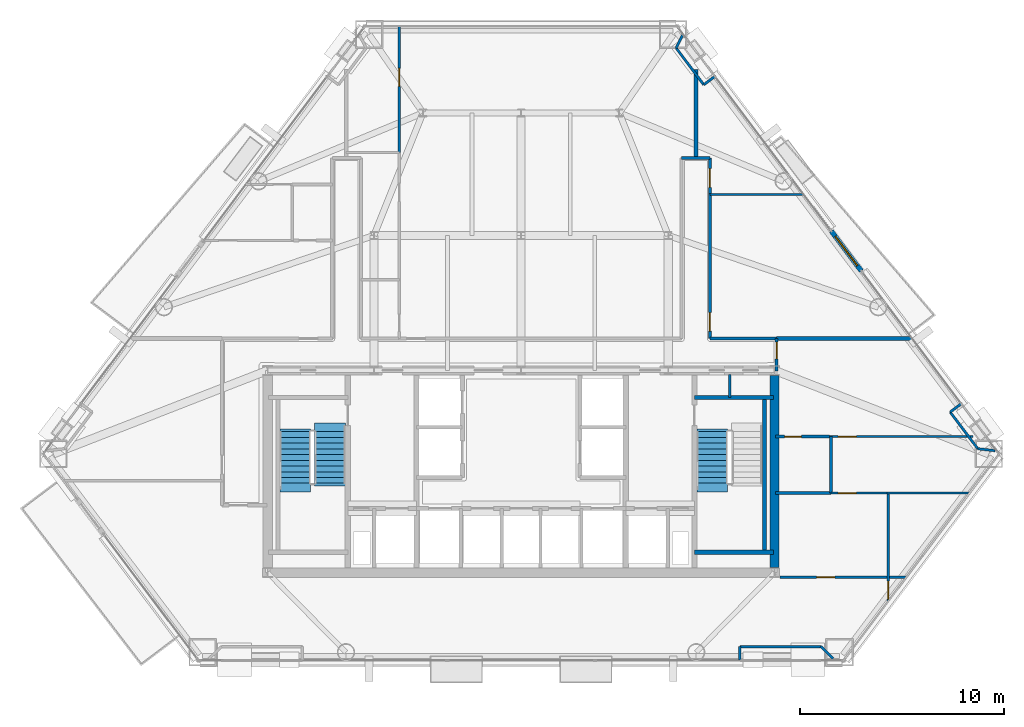
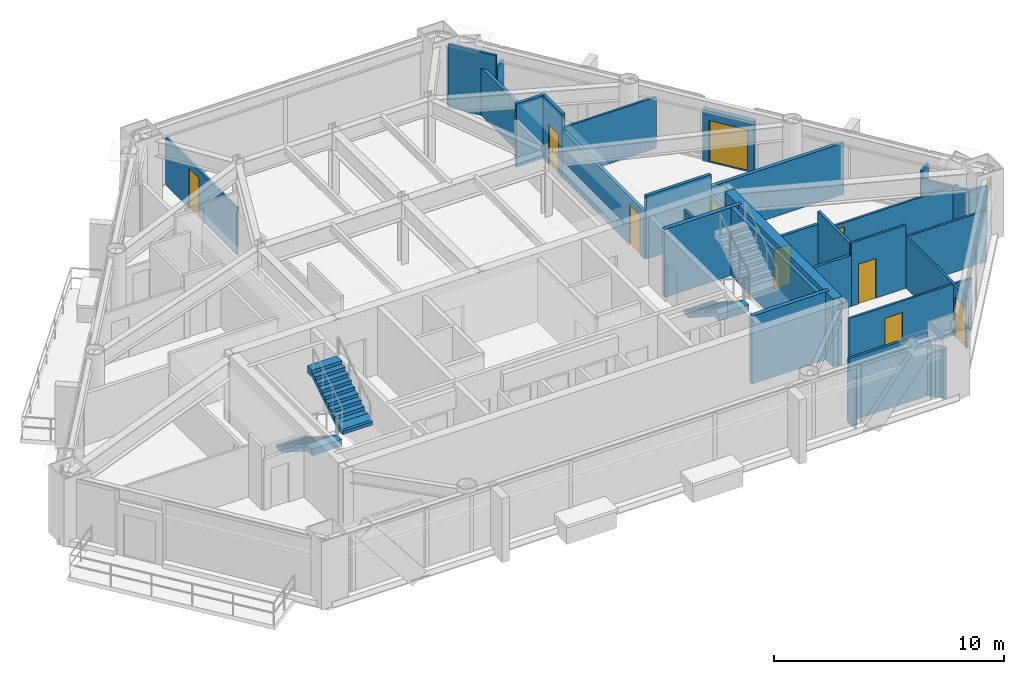
# One storey, part 11 of 14: 32 walls, 10 doors, 3 stair flights, 10 openings, 2 elements without a shape of their own.
"""IFC4 building model written with IfcOpenShell, lengths in metres."""

import ifcopenshell
import ifcopenshell.guid

model = None  # the IFC model being written
_history = None  # IfcOwnerHistory: only IFC2X3 demands one
_inside = {}  # id of a spatial element -> (the spatial element, [elements in it])
_under = {}  # id of a project, library or spatial element -> (it, [spatial elements below it])
_declared = {}  # id of a project -> (the project, [libraries it declares])
_typed = {}  # id of a type object -> (the type object, [elements of that type])
_made_of = {}  # id of a material, layer set ... -> (it, [elements and type objects made of it])


def new_model(schema):
    """Start an empty IFC model of exactly this schema.

    Asked for "IFC4X3", IfcOpenShell would pick the latest addendum, in which some entities
    have other attributes; the version numbers below select the first issue.
    IFC2X3 requires an IfcOwnerHistory on every rooted entity: one is made here for all.
    """
    global model, _history
    if schema == "IFC4X3":
        model = ifcopenshell.file(schema_version=(4, 3, 0, 0))
    else:
        model = ifcopenshell.file(schema=schema)
    _inside.clear()
    _under.clear()
    _declared.clear()
    _typed.clear()
    _made_of.clear()
    _history = None
    if model.schema == "IFC2X3":
        org = make("IfcOrganization", Name="unknown")
        user = make(
            "IfcPersonAndOrganization",
            ThePerson=make("IfcPerson", FamilyName="unknown"),
            TheOrganization=org,
        )
        app = make(
            "IfcApplication",
            ApplicationDeveloper=org,
            Version="unknown",
            ApplicationFullName="unknown",
            ApplicationIdentifier="unknown",
        )
        _history = make(
            "IfcOwnerHistory",
            OwningUser=user,
            OwningApplication=app,
            ChangeAction="ADDED",
            CreationDate=0,
        )
    return model


def make(cls, **values):
    """One entity of the class cls with the attributes given. An attribute that is None is left unset."""
    return model.create_entity(
        cls, **{name: value for name, value in values.items() if value is not None}
    )


def rooted(cls, **values):
    """An entity with a GlobalId (a new one), such as an element, a storey or a relation."""
    return make(cls, GlobalId=ifcopenshell.guid.new(), OwnerHistory=_history, **values)


def si_unit(unit_type, name, prefix=None):
    """IfcSIUnit, for example si_unit("LENGTHUNIT", "METRE", prefix="MILLI")."""
    return make("IfcSIUnit", UnitType=unit_type, Prefix=prefix, Name=name)


def assignment(units):
    """IfcUnitAssignment: the units of a project."""
    return None if units is None else make("IfcUnitAssignment", Units=units)


def point(xyz):
    """IfcCartesianPoint."""
    return None if xyz is None else make("IfcCartesianPoint", Coordinates=xyz)


def direction(xyz):
    """IfcDirection."""
    return None if xyz is None else make("IfcDirection", DirectionRatios=xyz)


def frame(location, z_axis=None, x_axis=None):
    """IfcAxis2Placement3D, a coordinate frame: its origin and axes. An axis left out is left unset."""
    return make(
        "IfcAxis2Placement3D",
        Location=point(location),
        Axis=direction(z_axis),
        RefDirection=direction(x_axis),
    )


def frame_2d(location, x_axis=None):
    """IfcAxis2Placement2D, a coordinate frame in the plane: its origin and x axis."""
    return make(
        "IfcAxis2Placement2D", Location=point(location), RefDirection=direction(x_axis)
    )


def origin():
    """The frame at (0, 0, 0) with its axes left unset."""
    return frame((0.0, 0.0, 0.0))


def place(relative_to, where):
    """IfcLocalPlacement: puts the frame where relative to a parent placement (None: the world)."""
    return make(
        "IfcLocalPlacement", PlacementRelTo=relative_to, RelativePlacement=where
    )


def context(
    kind, dimensions, precision=None, world=None, true_north=None, identifier=None
):
    """IfcGeometricRepresentationContext, for example the 3D "Model" context."""
    return make(
        "IfcGeometricRepresentationContext",
        ContextIdentifier=identifier,
        ContextType=kind,
        CoordinateSpaceDimension=dimensions,
        Precision=precision,
        WorldCoordinateSystem=world,
        TrueNorth=true_north,
    )


def subcontext(parent, identifier, kind, view, scale=None):
    """IfcGeometricRepresentationSubContext, for example "Body" below "Model"."""
    return make(
        "IfcGeometricRepresentationSubContext",
        ContextIdentifier=identifier,
        ContextType=kind,
        ParentContext=parent,
        TargetScale=scale,
        TargetView=view,
    )


def project(units=None, contexts=None):
    """IfcProject with its units and contexts."""
    return rooted(
        "IfcProject",
        Name="project",
        RepresentationContexts=contexts,
        UnitsInContext=assignment(units),
    )


def spatial(cls, under=None, at=None, **own):
    """A site, building, storey or space (cls), placed at a placement, below another one or the project."""
    s = rooted(cls, ObjectPlacement=at, **own)
    if under is not None:
        _under.setdefault(under.id(), (under, []))[1].append(s)
    return s


def polyline(points):
    """IfcPolyline through the points."""
    return make("IfcPolyline", Points=[point(p) for p in points])


def profile(cls, at=None, kind="AREA", **sizes):
    """A parametric profile (cls). Its sizes go by their IFC names, for example OverallWidth=200.0."""
    return make(cls, ProfileType=kind, Position=at, **sizes)


def rectangle(**sizes):
    """IfcRectangleProfileDef."""
    return profile("IfcRectangleProfileDef", **sizes)


def outline(outer, holes=None, kind="AREA"):
    """IfcArbitraryClosedProfileDef: a profile drawn as a closed curve; with holes, ...WithVoids."""
    if holes is None:
        return make("IfcArbitraryClosedProfileDef", ProfileType=kind, OuterCurve=outer)
    return make(
        "IfcArbitraryProfileDefWithVoids",
        ProfileType=kind,
        OuterCurve=outer,
        InnerCurves=holes,
    )


def extrude(swept, where, along, depth):
    """IfcExtrudedAreaSolid: the profile swept, set in the frame where, extruded along a direction by depth."""
    return make(
        "IfcExtrudedAreaSolid",
        SweptArea=swept,
        Position=where,
        ExtrudedDirection=direction(along),
        Depth=depth,
    )


def shape(context_of_items, identifier, shape_type, items):
    """IfcShapeRepresentation: the items that make up one representation, for example the "Body"."""
    return make(
        "IfcShapeRepresentation",
        ContextOfItems=context_of_items,
        RepresentationIdentifier=identifier,
        RepresentationType=shape_type,
        Items=items,
    )


def material(Name=None, Category=None):
    """IfcMaterial."""
    return make("IfcMaterial", Name=Name, Category=Category)


def layer(
    of_material, thickness, ventilated=None, Name=None, Category=None, Priority=None
):
    """IfcMaterialLayer: one layer of a wall or slab, of a material (None: an air gap)."""
    return make(
        "IfcMaterialLayer",
        Material=of_material,
        LayerThickness=thickness,
        IsVentilated=ventilated,
        Name=Name,
        Category=Category,
        Priority=Priority,
    )


def layer_set(layers, Name=None):
    """IfcMaterialLayerSet."""
    return make("IfcMaterialLayerSet", MaterialLayers=layers, LayerSetName=Name)


def made_of(thing, what):
    """Note that an element or type object is made of a material, layer set ...; save() writes the relation."""
    if what is not None:
        _made_of.setdefault(what.id(), (what, []))[1].append(thing)
    return thing


def type_object(cls, material=None, **own):
    """A type object (cls), such as IfcWallType, which elements share."""
    return made_of(rooted(cls, **own), material)


def element(
    cls,
    number,
    at=None,
    inside=None,
    cuts=None,
    type_object=None,
    material=None,
    context=None,
    identifier="Body",
    shape_type=None,
    held_by="IfcProductDefinitionShape",
    body=None,
    shapes=None,
    **own,
):
    """One element of the class cls, such as IfcWall. Its Tag is "e" and its number.

    at: its placement. inside: the storey or other place that contains it. cuts: it is an
    opening in that element (IfcRelVoidsElement). A single representation is given by context,
    identifier, shape_type and body (its items); several are given by shapes. held_by: the class
    of the entity that holds the representations. save() writes the other relations.
    """
    e = rooted(cls, Tag="e%d" % number, ObjectPlacement=at, **own)
    if body is not None:
        shapes = [shape(context, identifier, shape_type, body)]
    if shapes is not None:
        e.Representation = make(held_by, Representations=shapes)
    if inside is not None:
        _inside.setdefault(inside.id(), (inside, []))[1].append(e)
    if cuts is not None:
        rooted(
            "IfcRelVoidsElement", RelatingBuildingElement=cuts, RelatedOpeningElement=e
        )
    if type_object is not None:
        _typed.setdefault(type_object.id(), (type_object, []))[1].append(e)
    return made_of(e, material)


def fill(opening, filler):
    """IfcRelFillsElement: the door or window that sits in an opening."""
    return rooted(
        "IfcRelFillsElement",
        RelatingOpeningElement=opening,
        RelatedBuildingElement=filler,
    )


def aggregate(whole, parts):
    """IfcRelAggregates: a whole, such as a stair, and the parts it consists of."""
    return rooted("IfcRelAggregates", RelatingObject=whole, RelatedObjects=parts)


def save(model, path):
    """Write the relations noted so far, then the file.

    IfcRelAggregates (storeys below a building ...), IfcRelContainedInSpatialStructure (elements
    in a storey), IfcRelDefinesByType, IfcRelAssociatesMaterial and IfcRelDeclares: one each for
    every whole, place, type object, material and project.
    """
    for whole, parts in _under.values():
        aggregate(whole, parts)
    for where, things in _inside.values():
        rooted(
            "IfcRelContainedInSpatialStructure",
            RelatedElements=things,
            RelatingStructure=where,
        )
    for kind, things in _typed.values():
        rooted("IfcRelDefinesByType", RelatedObjects=things, RelatingType=kind)
    for what, things in _made_of.values():
        rooted("IfcRelAssociatesMaterial", RelatedObjects=things, RelatingMaterial=what)
    for by, libraries in _declared.values():
        rooted("IfcRelDeclares", RelatingContext=by, RelatedDefinitions=libraries)
    model.write(path)


model = new_model("IFC4")

# Units and contexts
model_context = context("Model", 3, precision=1e-05, world=origin(), true_north=direction((0.0, 1.0)))
body_context = subcontext(model_context, "Body", "Model", "MODEL_VIEW")
ifc_project = project(units=[si_unit("LENGTHUNIT", "METRE"), si_unit("AREAUNIT", "SQUARE_METRE"), si_unit("VOLUMEUNIT", "CUBIC_METRE"), si_unit("PLANEANGLEUNIT", "RADIAN"), si_unit("MASSUNIT", "GRAM", prefix="KILO")], contexts=[model_context])

# Site, building, storey
site_placement = place(None, origin())
site = spatial("IfcSite", under=ifc_project, at=site_placement, CompositionType="ELEMENT")
building_placement = place(site_placement, origin())
building = spatial("IfcBuilding", under=site, at=building_placement, Name="Talgorran Terracotta Tower", CompositionType="ELEMENT")
storey_placement = place(building_placement, frame((0.0, 0.0, 53.10009765625)))
storey = spatial("IfcBuildingStorey", under=building, at=storey_placement, Name="L13", CompositionType="ELEMENT", Elevation=53.10009765625)

# Wall, opening, door
ifc_material_1 = material(Name="Concrete C40/50", Category="concrete")
ifc_layer_1 = layer(ifc_material_1, 0.239990234375, Name="WT_BALCONY_SPAND")
ifc_layer_set_1 = layer_set([ifc_layer_1], Name="Concrete C40/50")
wall_type_1 = type_object("IfcWallType", Name="WT_BALCONY_SPAND", PredefinedType="STANDARD", material=ifc_layer_set_1)
wall_1_placement = place(storey_placement, frame((16.646484375, 0.665771484375, -0.01513671875), z_axis=(0.0, 0.0, 1.0), x_axis=(-0.601471893772, 0.79889396105, 0.0)))
wall_1 = element("IfcWall", 1, at=wall_1_placement, inside=storey, type_object=wall_type_1, Name="WL-L13-BALP-BAL-NE", PredefinedType="STANDARD", context=body_context, shape_type="SweptSolid", body=[
    extrude(rectangle(XDim=2.43994140625, YDim=0.239990234375, at=frame_2d((1.219970703125, 0.0))), origin(), (0.0, 0.0, 1.0), 2.728515625),
])
opening_1_placement = place(wall_1_placement, frame((0.320068359375, 0.0, 0.014892578125)))
opening_1 = element("IfcOpeningElement", 2, at=opening_1_placement, cuts=wall_1, Name="Opening D-BAL-L13-1", PredefinedType="OPENING", context=body_context, shape_type="SweptSolid", body=[
    extrude(rectangle(XDim=1.806048828125, YDim=2.203951171875, at=frame_2d((0.89990234375, 1.10205078125))), frame((0.0, 0.1298828125, 0.0), z_axis=(0.0, -1.0, 0.0), x_axis=(1.0, 0.0, 0.0)), (0.0, 0.0, 1.0), 0.260009765625),
])
ifc_material_2 = material(Name="Thermally Broken Aluminium", Category="aluminium")
door_type_1 = type_object("IfcDoorType", Name="DT_BALC_1800", OperationType="SLIDING_TO_LEFT", PredefinedType="DOOR", material=ifc_material_2)
door_1_placement = place(opening_1_placement, origin())
door_1 = element("IfcDoor", 3, at=door_1_placement, inside=storey, type_object=door_type_1, Name="DR-L13-BAL-BAL-NE", OperationType="SLIDING_TO_LEFT", OverallHeight=2.199951171875, OverallWidth=1.800048828125, PredefinedType="DOOR", context=body_context, shape_type="SweptSolid", body=[
    extrude(rectangle(XDim=1.800048828125, YDim=2.199951171875, at=frame_2d((0.89990234375, 1.10009765625))), frame((0.0, 0.02490234375, 0.0), z_axis=(0.0, -1.0, 0.0), x_axis=(1.0, 0.0, 0.0)), (0.0, 0.0, 1.0), 0.050048828125),
])
fill(opening_1, door_1)

# Walls
ifc_material_3 = material(Name="Concrete C50/60", Category="concrete")
ifc_layer_2 = layer(ifc_material_3, 0.199951171875, Name="WT_CORE_200")
ifc_layer_set_2 = layer_set([ifc_layer_2], Name="Concrete C50/60")
wall_type_2 = type_object("IfcWallType", Name="WT_CORE_200", PredefinedType="SOLIDWALL", material=ifc_layer_set_2)
for number, where, z_axis, x_axis, name in (
    (4, (8.47998046875, -5.52001953125, 0.0), (0.0, 0.0, 1.0), (1.0, 0.0, 0.0), "WL-L13-CW-ST2-N"),
    (5, (8.47998046875, -13.10009765625, 0.0), (0.0, 0.0, 1.0), (1.0, 0.0, 0.0), "WL-L13-CW-ST2-S"),
):
    element("IfcWall", number, at=place(storey_placement, frame(where, z_axis=z_axis, x_axis=x_axis)), inside=storey, type_object=wall_type_2, Name=name, PredefinedType="SOLIDWALL", context=body_context, shape_type="SweptSolid", body=[
        extrude(rectangle(XDim=3.8701171875, YDim=0.199951171875, at=frame_2d((1.93505859375, 0.0))), origin(), (0.0, 0.0, 1.0), 3.599853515625),
    ])
wall_2_placement = place(storey_placement, frame((11.89990234375, -13.10009765625, 0.0), z_axis=(0.0, 0.0, 1.0), x_axis=(0.0, 1.0, 0.0)))
element("IfcWall", 6, at=wall_2_placement, inside=storey, type_object=wall_type_2, Name="WL-L13-CW-ST2-E", PredefinedType="SOLIDWALL", context=body_context, shape_type="SweptSolid", body=[
    extrude(rectangle(XDim=7.580078125, YDim=0.199951171875, at=frame_2d((3.7900390625, 0.0))), origin(), (0.0, 0.0, 1.0), 3.599853515625),
])
ifc_material_4 = material(Name="Concrete C65/80", Category="concrete")
ifc_layer_3 = layer(ifc_material_4, 0.449951171875, Name="WT_CORE_EXT")
ifc_layer_set_3 = layer_set([ifc_layer_3], Name="Concrete C65/80")
wall_type_3 = type_object("IfcWallType", Name="WT_CORE_EXT", PredefinedType="SHEAR", material=ifc_layer_set_3)
wall_3_placement = place(storey_placement, frame((12.39990234375, -13.85009765625, 0.0), z_axis=(0.0, 0.0, 1.0), x_axis=(0.0, 1.0, 0.0)))
element("IfcWall", 7, at=wall_3_placement, inside=storey, type_object=wall_type_3, Name="WL-L13-CW-OUT-E", PredefinedType="SHEAR", context=body_context, shape_type="SweptSolid", body=[
    extrude(rectangle(XDim=9.400146484375, YDim=0.449951171875, at=frame_2d((4.7001953125, 0.0))), origin(), (0.0, 0.0, 1.0), 3.599853515625),
])

# Wall, opening, door
ifc_material_5 = material(Name="Fire-Rated Steel Stud Plasterboard", Category="steel")
ifc_layer_4 = layer(ifc_material_5, 0.14990234375, Name="WT_FIRE_150")
ifc_layer_set_4 = layer_set([ifc_layer_4], Name="Fire-Rated Steel Stud Plasterboard")
wall_type_4 = type_object("IfcWallType", Name="WT_FIRE_150", PredefinedType="PARTITIONING", material=ifc_layer_set_4)
wall_4_placement = place(storey_placement, frame((9.239990234375, -2.639892578125, 0.0), z_axis=(0.0, 0.0, 1.0), x_axis=(0.0, 1.0, 0.0)))
wall_4 = element("IfcWall", 8, at=wall_4_placement, inside=storey, type_object=wall_type_4, Name="WL-L13-W-L13-R17", PredefinedType="PARTITIONING", context=body_context, shape_type="SweptSolid", body=[
    extrude(rectangle(XDim=7.099853515625, YDim=0.14990234375, at=frame_2d((3.5498046875, 0.0))), origin(), (0.0, 0.0, 1.0), 2.5087890625),
])
opening_2_placement = place(wall_4_placement, frame((0.360107421875, 0.0, 0.0)))
opening_2 = element("IfcOpeningElement", 9, at=opening_2_placement, cuts=wall_4, Name="Opening DR-L13-R16", PredefinedType="OPENING", context=body_context, shape_type="SweptSolid", body=[
    extrude(rectangle(XDim=0.90590234375, YDim=2.10409765625, at=frame_2d((0.449951171875, 1.052001953125))), frame((0.0, 0.0849609375, 0.0), z_axis=(0.0, -1.0, 0.0), x_axis=(1.0, 0.0, 0.0)), (0.0, 0.0, 1.0), 0.169921875),
])
ifc_material_6 = material(Name="Fire-Rated Timber Core", Category="wood")
door_type_2 = type_object("IfcDoorType", Name="DT_FIRE_900", OperationType="NOTDEFINED", PredefinedType="DOOR", material=ifc_material_6)
door_2_placement = place(opening_2_placement, origin())
door_2 = element("IfcDoor", 10, at=door_2_placement, inside=storey, type_object=door_type_2, Name="DR-L13-R16", OperationType="SINGLE_SWING_RIGHT", OverallHeight=2.10009765625, OverallWidth=0.89990234375, PredefinedType="DOOR", context=body_context, shape_type="SweptSolid", body=[
    extrude(rectangle(XDim=0.89990234375, YDim=2.10009765625, at=frame_2d((0.449951171875, 1.050048828125))), frame((0.0, 0.02490234375, 0.0), z_axis=(0.0, -1.0, 0.0), x_axis=(1.0, 0.0, 0.0)), (0.0, 0.0, 1.0), 0.050048828125),
])
fill(opening_2, door_2)

# Wall
wall_5_placement = place(storey_placement, frame((9.239990234375, -2.639892578125, 0.0), z_axis=(0.0, 0.0, 1.0), x_axis=(1.0, 0.0, 0.0)))
element("IfcWall", 11, at=wall_5_placement, inside=storey, type_object=wall_type_4, Name="WL-L13-W-L13-R18", PredefinedType="PARTITIONING", context=body_context, shape_type="SweptSolid", body=[
    extrude(rectangle(XDim=3.260009765625, YDim=0.14990234375, at=frame_2d((1.6298828125, 0.0))), origin(), (0.0, 0.0, 1.0), 3.349853515625),
])

# Wall, opening, door
wall_6_placement = place(storey_placement, frame((9.239990234375, 4.4619140625, 0.0), z_axis=(0.0, 0.0, 1.0), x_axis=(0.0, 1.0, 0.0)))
wall_6 = element("IfcWall", 12, at=wall_6_placement, inside=storey, type_object=wall_type_4, Name="WL-L13-W-L13-R20", PredefinedType="PARTITIONING", context=body_context, shape_type="SweptSolid", body=[
    extrude(rectangle(XDim=1.738037109375, YDim=0.14990234375, at=frame_2d((0.869140625, 0.0))), origin(), (0.0, 0.0, 1.0), 3.349853515625),
])
opening_3_placement = place(wall_6_placement, frame((0.30126953125, 0.0, 0.0)))
opening_3 = element("IfcOpeningElement", 13, at=opening_3_placement, cuts=wall_6, Name="Opening DR-L13-R17", PredefinedType="OPENING", context=body_context, shape_type="SweptSolid", body=[
    extrude(rectangle(XDim=0.90590234375, YDim=2.10409765625, at=frame_2d((0.449951171875, 1.052001953125))), frame((0.0, 0.0849609375, 0.0), z_axis=(0.0, -1.0, 0.0), x_axis=(1.0, 0.0, 0.0)), (0.0, 0.0, 1.0), 0.169921875),
])
door_3_placement = place(opening_3_placement, origin())
door_3 = element("IfcDoor", 14, at=door_3_placement, inside=storey, type_object=door_type_2, Name="DR-L13-R17", OperationType="SINGLE_SWING_LEFT", OverallHeight=2.10009765625, OverallWidth=0.89990234375, PredefinedType="DOOR", context=body_context, shape_type="SweptSolid", body=[
    extrude(rectangle(XDim=0.89990234375, YDim=2.10009765625, at=frame_2d((0.449951171875, 1.050048828125))), frame((0.0, 0.02490234375, 0.0), z_axis=(0.0, -1.0, 0.0), x_axis=(1.0, 0.0, 0.0)), (0.0, 0.0, 1.0), 0.050048828125),
])
fill(opening_3, door_3)

wall_7_placement = place(storey_placement, frame((12.5, -4.239990234375, 0.0), z_axis=(0.0, 0.0, 1.0), x_axis=(0.0, 1.0, 0.0)))
wall_7 = element("IfcWall", 15, at=wall_7_placement, inside=storey, type_object=wall_type_4, Name="WL-L13-W-L13-R04", PredefinedType="PARTITIONING", context=body_context, shape_type="SweptSolid", body=[
    extrude(rectangle(XDim=1.60009765625, YDim=0.14990234375, at=frame_2d((0.800048828125, 0.0))), origin(), (0.0, 0.0, 1.0), 2.324951171875),
])
opening_4_placement = place(wall_7_placement, frame((0.602294921875, 0.0, 0.0)))
opening_4 = element("IfcOpeningElement", 16, at=opening_4_placement, cuts=wall_7, Name="Opening DR-L13-R03", PredefinedType="OPENING", context=body_context, shape_type="SweptSolid", body=[
    extrude(rectangle(XDim=0.826068359375, YDim=2.10409765625, at=frame_2d((0.41015625, 1.052001953125))), frame((0.0, 0.0849609375, 0.0), z_axis=(0.0, -1.0, 0.0), x_axis=(1.0, 0.0, 0.0)), (0.0, 0.0, 1.0), 0.169921875),
])
ifc_material_7 = material(Name="Moisture-Resistant Solid Timber", Category="wood")
door_type_3 = type_object("IfcDoorType", Name="DT_INT_820", OperationType="NOTDEFINED", PredefinedType="DOOR", material=ifc_material_7)
door_4_placement = place(opening_4_placement, origin())
door_4 = element("IfcDoor", 17, at=door_4_placement, inside=storey, type_object=door_type_3, Name="DR-L13-R03", OperationType="SINGLE_SWING_LEFT", OverallHeight=2.10009765625, OverallWidth=0.820068359375, PredefinedType="DOOR", context=body_context, shape_type="SweptSolid", body=[
    extrude(rectangle(XDim=0.820068359375, YDim=2.10009765625, at=frame_2d((0.41015625, 1.050048828125))), frame((0.0, 0.02490234375, 0.0), z_axis=(0.0, -1.0, 0.0), x_axis=(1.0, 0.0, 0.0)), (0.0, 0.0, 1.0), 0.050048828125),
])
fill(opening_4, door_4)

# Walls
wall_8_placement = place(storey_placement, frame((7.840087890625, 6.199951171875, 0.0), z_axis=(0.0, 0.0, 1.0), x_axis=(1.0, 0.0, 0.0)))
element("IfcWall", 18, at=wall_8_placement, inside=storey, type_object=wall_type_4, Name="WL-L13-W-L13-R16", PredefinedType="PARTITIONING", context=body_context, shape_type="SweptSolid", body=[
    extrude(rectangle(XDim=1.39990234375, YDim=0.14990234375, at=frame_2d((0.699951171875, 0.0))), origin(), (0.0, 0.0, 1.0), 3.349853515625),
])
ifc_material_8 = material(Name="Acoustic Stud and Plasterboard")
ifc_layer_5 = layer(ifc_material_8, 0.179931640625, Name="WT_PARTY_200")
ifc_layer_set_5 = layer_set([ifc_layer_5], Name="Acoustic Stud and Plasterboard")
wall_type_5 = type_object("IfcWallType", Name="WT_PARTY_200", PredefinedType="PARTITIONING", material=ifc_layer_set_5)
wall_9_placement = place(storey_placement, frame((12.5, -2.639892578125, 0.0), z_axis=(0.0, 0.0, 1.0), x_axis=(1.0, 0.0, 0.0)))
element("IfcWall", 19, at=wall_9_placement, inside=storey, type_object=wall_type_5, Name="WL-L13-W-L13-R25", PredefinedType="PARTITIONING", context=body_context, shape_type="SweptSolid", body=[
    extrude(rectangle(XDim=6.63525390625, YDim=0.179931640625, at=frame_2d((3.317626953125, 0.0))), origin(), (0.0, 0.0, 1.0), 2.71337890625),
])
wall_10_placement = place(storey_placement, frame((8.56005859375, 6.199951171875, 0.0), z_axis=(0.0, 0.0, 1.0), x_axis=(0.0, 1.0, 0.0)))
element("IfcWall", 20, at=wall_10_placement, inside=storey, type_object=wall_type_5, Name="WL-L13-W-L13-R45", PredefinedType="PARTITIONING", context=body_context, shape_type="SweptSolid", body=[
    extrude(rectangle(XDim=4.320068359375, YDim=0.179931640625, at=frame_2d((2.16015625, 0.0))), origin(), (0.0, 0.0, 1.0), 2.5087890625),
])

# Wall, opening, door
ifc_material_9 = material(Name="Lightweight Steel Stud Partition", Category="steel")
ifc_layer_6 = layer(ifc_material_9, 0.10498046875, Name="WT_PART_110")
ifc_layer_set_6 = layer_set([ifc_layer_6], Name="Lightweight Steel Stud Partition")
wall_type_6 = type_object("IfcWallType", Name="WT_PART_110", PredefinedType="PARTITIONING", material=ifc_layer_set_6)
wall_11_placement = place(storey_placement, frame((15.080078125, -7.43994140625, 0.0), z_axis=(0.0, 0.0, 1.0), x_axis=(1.0, 0.0, 0.0)))
wall_11 = element("IfcWall", 21, at=wall_11_placement, inside=storey, type_object=wall_type_6, Name="WL-L13-W-L13-R24", PredefinedType="PARTITIONING", context=body_context, shape_type="SweptSolid", body=[
    extrude(rectangle(XDim=7.0400390625, YDim=0.10498046875, at=frame_2d((3.52001953125, 0.0))), origin(), (0.0, 0.0, 1.0), 2.324951171875),
])
opening_5_placement = place(wall_11_placement, frame((0.43896484375, 0.0, 0.0)))
opening_5 = element("IfcOpeningElement", 22, at=opening_5_placement, cuts=wall_11, Name="Opening DR-L13-R05", PredefinedType="OPENING", context=body_context, shape_type="SweptSolid", body=[
    extrude(rectangle(XDim=0.8858828125, YDim=2.10409765625, at=frame_2d((0.43994140625, 1.052001953125))), frame((0.0, 0.0625, 0.0), z_axis=(0.0, -1.0, 0.0), x_axis=(1.0, 0.0, 0.0)), (0.0, 0.0, 1.0), 0.125),
])
ifc_material_10 = material(Name="Solid-Core Painted Timber", Category="wood")
door_type_4 = type_object("IfcDoorType", Name="DT_INT_880", OperationType="NOTDEFINED", PredefinedType="DOOR", material=ifc_material_10)
door_5_placement = place(opening_5_placement, origin())
door_5 = element("IfcDoor", 23, at=door_5_placement, inside=storey, type_object=door_type_4, Name="DR-L13-R05", OperationType="SINGLE_SWING_LEFT", OverallHeight=2.10009765625, OverallWidth=0.8798828125, PredefinedType="DOOR", context=body_context, shape_type="SweptSolid", body=[
    extrude(rectangle(XDim=0.8798828125, YDim=2.10009765625, at=frame_2d((0.43994140625, 1.050048828125))), frame((0.0, 0.02490234375, 0.0), z_axis=(0.0, -1.0, 0.0), x_axis=(1.0, 0.0, 0.0)), (0.0, 0.0, 1.0), 0.050048828125),
])
fill(opening_5, door_5)

wall_12_placement = place(storey_placement, frame((12.659912109375, -14.320068359375, 0.0), z_axis=(0.0, 0.0, 1.0), x_axis=(1.0, 0.0, 0.0)))
wall_12 = element("IfcWall", 24, at=wall_12_placement, inside=storey, type_object=wall_type_6, Name="WL-L13-W-L13-R30", PredefinedType="PARTITIONING", context=body_context, shape_type="SweptSolid", body=[
    extrude(rectangle(XDim=6.18408203125, YDim=0.10498046875, at=frame_2d((3.092041015625, 0.0))), origin(), (0.0, 0.0, 1.0), 2.71337890625),
])
opening_6_placement = place(wall_12_placement, frame((1.805419921875, 0.0, 0.0)))
opening_6 = element("IfcOpeningElement", 25, at=opening_6_placement, cuts=wall_12, Name="Opening DR-L13-R06", PredefinedType="OPENING", context=body_context, shape_type="SweptSolid", body=[
    extrude(rectangle(XDim=0.8858828125, YDim=2.10409765625, at=frame_2d((0.43994140625, 1.052001953125))), frame((0.0, 0.0625, 0.0), z_axis=(0.0, -1.0, 0.0), x_axis=(1.0, 0.0, 0.0)), (0.0, 0.0, 1.0), 0.125),
])
door_6_placement = place(opening_6_placement, origin())
door_6 = element("IfcDoor", 26, at=door_6_placement, inside=storey, type_object=door_type_4, Name="DR-L13-R06", OperationType="SINGLE_SWING_RIGHT", OverallHeight=2.10009765625, OverallWidth=0.8798828125, PredefinedType="DOOR", context=body_context, shape_type="SweptSolid", body=[
    extrude(rectangle(XDim=0.8798828125, YDim=2.10009765625, at=frame_2d((0.43994140625, 1.050048828125))), frame((0.0, 0.02490234375, 0.0), z_axis=(0.0, -1.0, 0.0), x_axis=(1.0, 0.0, 0.0)), (0.0, 0.0, 1.0), 0.050048828125),
])
fill(opening_6, door_6)

wall_13_placement = place(storey_placement, frame((-5.9599609375, 6.4599609375, 0.0), z_axis=(0.0, 0.0, 1.0), x_axis=(0.0, 1.0, 0.0)))
wall_13 = element("IfcWall", 27, at=wall_13_placement, inside=storey, type_object=wall_type_6, Name="WL-L13-W-L13-R44", PredefinedType="PARTITIONING", context=body_context, shape_type="SweptSolid", body=[
    extrude(rectangle(XDim=6.17333984375, YDim=0.10498046875, at=frame_2d((3.086669921875, 0.0))), origin(), (0.0, 0.0, 1.0), 2.5087890625),
])
opening_7_placement = place(wall_13_placement, frame((3.23583984375, 0.0, 0.0)))
opening_7 = element("IfcOpeningElement", 28, at=opening_7_placement, cuts=wall_13, Name="Opening DR-L13-R14", PredefinedType="OPENING", context=body_context, shape_type="SweptSolid", body=[
    extrude(rectangle(XDim=0.8858828125, YDim=2.10409765625, at=frame_2d((0.43994140625, 1.052001953125))), frame((0.0, 0.0625, 0.0), z_axis=(0.0, -1.0, 0.0), x_axis=(1.0, 0.0, 0.0)), (0.0, 0.0, 1.0), 0.125),
])
door_7_placement = place(opening_7_placement, origin())
door_7 = element("IfcDoor", 29, at=door_7_placement, inside=storey, type_object=door_type_4, Name="DR-L13-R14", OperationType="SINGLE_SWING_RIGHT", OverallHeight=2.10009765625, OverallWidth=0.8798828125, PredefinedType="DOOR", context=body_context, shape_type="SweptSolid", body=[
    extrude(rectangle(XDim=0.8798828125, YDim=2.10009765625, at=frame_2d((0.43994140625, 1.050048828125))), frame((0.0, 0.02490234375, 0.0), z_axis=(0.0, -1.0, 0.0), x_axis=(1.0, 0.0, 0.0)), (0.0, 0.0, 1.0), 0.050048828125),
])
fill(opening_7, door_7)

wall_14_placement = place(storey_placement, frame((17.9599609375, -15.494140625, 0.0), z_axis=(0.0, 0.0, 1.0), x_axis=(0.0, 1.0, 0.0)))
wall_14 = element("IfcWall", 30, at=wall_14_placement, inside=storey, type_object=wall_type_6, Name="WL-L13-W-L13-R32", PredefinedType="PARTITIONING", context=body_context, shape_type="SweptSolid", body=[
    extrude(rectangle(XDim=5.294189453125, YDim=0.10498046875, at=frame_2d((2.64697265625, 0.0))), origin(), (0.0, 0.0, 1.0), 2.71337890625),
])
opening_8_placement = place(wall_14_placement, frame((0.10009765625, 0.0, 0.0)))
opening_8 = element("IfcOpeningElement", 31, at=opening_8_placement, cuts=wall_14, Name="Opening DR-L13-R07", PredefinedType="OPENING", context=body_context, shape_type="SweptSolid", body=[
    extrude(rectangle(XDim=0.8858828125, YDim=2.10409765625, at=frame_2d((0.43994140625, 1.052001953125))), frame((0.0, 0.0625, 0.0), z_axis=(0.0, -1.0, 0.0), x_axis=(1.0, 0.0, 0.0)), (0.0, 0.0, 1.0), 0.125),
])
door_8_placement = place(opening_8_placement, origin())
door_8 = element("IfcDoor", 32, at=door_8_placement, inside=storey, type_object=door_type_4, Name="DR-L13-R07", OperationType="SINGLE_SWING_LEFT", OverallHeight=2.10009765625, OverallWidth=0.8798828125, PredefinedType="DOOR", context=body_context, shape_type="SweptSolid", body=[
    extrude(rectangle(XDim=0.8798828125, YDim=2.10009765625, at=frame_2d((0.43994140625, 1.050048828125))), frame((0.0, 0.02490234375, 0.0), z_axis=(0.0, -1.0, 0.0), x_axis=(1.0, 0.0, 0.0)), (0.0, 0.0, 1.0), 0.050048828125),
])
fill(opening_8, door_8)

# Walls
wall_15_placement = place(storey_placement, frame((9.239990234375, 4.39990234375, 0.0), z_axis=(0.0, 0.0, 1.0), x_axis=(1.0, 0.0, 0.0)))
element("IfcWall", 33, at=wall_15_placement, inside=storey, type_object=wall_type_6, Name="WL-L13-W-L13-R46", PredefinedType="PARTITIONING", context=body_context, shape_type="SweptSolid", body=[
    extrude(rectangle(XDim=4.59521484375, YDim=0.10498046875, at=frame_2d((2.297607421875, 0.0))), origin(), (0.0, 0.0, 1.0), 2.71337890625),
])
wall_16_placement = place(storey_placement, frame((17.89990234375, -10.199951171875, 0.0), z_axis=(0.0, 0.0, 1.0), x_axis=(1.0, 0.0, 0.0)))
element("IfcWall", 34, at=wall_16_placement, inside=storey, type_object=wall_type_6, Name="WL-L13-W-L13-R29", PredefinedType="PARTITIONING", context=body_context, shape_type="SweptSolid", body=[
    extrude(rectangle(XDim=4.045654296875, YDim=0.10498046875, at=frame_2d((2.02294921875, 0.0))), origin(), (0.0, 0.0, 1.0), 2.71337890625),
])

# Wall, opening, door
wall_17_placement = place(storey_placement, frame((15.159912109375, -10.199951171875, 0.0), z_axis=(0.0, 0.0, 1.0), x_axis=(1.0, 0.0, 0.0)))
wall_17 = element("IfcWall", 35, at=wall_17_placement, inside=storey, type_object=wall_type_6, Name="WL-L13-W-L13-R28", PredefinedType="PARTITIONING", context=body_context, shape_type="SweptSolid", body=[
    extrude(rectangle(XDim=2.738037109375, YDim=0.10498046875, at=frame_2d((1.369140625, 0.0))), origin(), (0.0, 0.0, 1.0), 3.349853515625),
])
opening_9_placement = place(wall_17_placement, frame((0.357421875, 0.0, 0.0)))
opening_9 = element("IfcOpeningElement", 36, at=opening_9_placement, cuts=wall_17, Name="Opening DR-L13-R18", PredefinedType="OPENING", context=body_context, shape_type="SweptSolid", body=[
    extrude(rectangle(XDim=0.8858828125, YDim=2.10409765625, at=frame_2d((0.43994140625, 1.052001953125))), frame((0.0, 0.0625, 0.0), z_axis=(0.0, -1.0, 0.0), x_axis=(1.0, 0.0, 0.0)), (0.0, 0.0, 1.0), 0.125),
])
door_9_placement = place(opening_9_placement, origin())
door_9 = element("IfcDoor", 37, at=door_9_placement, inside=storey, type_object=door_type_4, Name="DR-L13-R18", OperationType="SINGLE_SWING_RIGHT", OverallHeight=2.10009765625, OverallWidth=0.8798828125, PredefinedType="DOOR", context=body_context, shape_type="SweptSolid", body=[
    extrude(rectangle(XDim=0.8798828125, YDim=2.10009765625, at=frame_2d((0.43994140625, 1.050048828125))), frame((0.0, 0.02490234375, 0.0), z_axis=(0.0, -1.0, 0.0), x_axis=(1.0, 0.0, 0.0)), (0.0, 0.0, 1.0), 0.050048828125),
])
fill(opening_9, door_9)

# Walls
ifc_material_11 = material(Name="Insulated Steel Stud Plasterboard", Category="steel")
ifc_layer_7 = layer(ifc_material_11, 0.1201171875, Name="WT_PART_120")
ifc_layer_set_7 = layer_set([ifc_layer_7], Name="Insulated Steel Stud Plasterboard")
wall_type_7 = type_object("IfcWallType", Name="WT_PART_120", PredefinedType="PARTITIONING", material=ifc_layer_set_7)
wall_18_placement = place(storey_placement, frame((10.199951171875, -5.52001953125, 0.0), z_axis=(0.0, 0.0, 1.0), x_axis=(0.0, 1.0, 0.0)))
element("IfcWall", 38, at=wall_18_placement, inside=storey, type_object=wall_type_7, Name="WL-L13-CW-CSE-DIV", PredefinedType="PARTITIONING", context=body_context, shape_type="SweptSolid", body=[
    extrude(rectangle(XDim=1.1201171875, YDim=0.1201171875, at=frame_2d((0.56005859375, 0.0))), origin(), (0.0, 0.0, 1.0), 3.349853515625),
])
wall_19_placement = place(storey_placement, frame((10.70654296875, -17.711181640625, 0.0), z_axis=(0.0, 0.0, 1.0), x_axis=(1.0, 0.0, 0.0)))
element("IfcWall", 39, at=wall_19_placement, inside=storey, type_object=wall_type_7, Name="WL-L13-BW-L13-06", PredefinedType="PARTITIONING", context=body_context, shape_type="SweptSolid", body=[
    extrude(rectangle(XDim=3.959228515625, YDim=0.1201171875, at=frame_2d((1.9794921875, 0.0))), origin(), (0.0, 0.0, 1.0), 3.349853515625),
])
wall_20_placement = place(storey_placement, frame((8.93701171875, 9.776123046875, 0.0), z_axis=(0.0, 0.0, 1.0), x_axis=(-0.601407243549, 0.798942630861, 0.0)))
element("IfcWall", 40, at=wall_20_placement, inside=storey, type_object=wall_type_7, Name="WL-L13-BW-L13-18", PredefinedType="PARTITIONING", context=body_context, shape_type="SweptSolid", body=[
    extrude(rectangle(XDim=2.246826171875, YDim=0.1201171875, at=frame_2d((1.12353515625, 0.0))), origin(), (0.0, 0.0, 1.0), 3.349853515625),
])
wall_21_placement = place(storey_placement, frame((22.344970703125, -8.034423828125, 0.0), z_axis=(0.0, 0.0, 1.0), x_axis=(-0.601407243549, 0.798942630861, 0.0)))
element("IfcWall", 41, at=wall_21_placement, inside=storey, type_object=wall_type_7, Name="WL-L13-BW-L13-13", PredefinedType="PARTITIONING", context=body_context, shape_type="SweptSolid", body=[
    extrude(rectangle(XDim=2.246826171875, YDim=0.1201171875, at=frame_2d((1.12353515625, 0.0))), origin(), (0.0, 0.0, 1.0), 2.324951171875),
])
wall_22_placement = place(storey_placement, frame((14.665771484375, -17.711181640625, 0.0), z_axis=(0.0, 0.0, 1.0), x_axis=(0.712544720488, -0.701626696545, 0.0)))
element("IfcWall", 42, at=wall_22_placement, inside=storey, type_object=wall_type_7, Name="WL-L13-BW-L13-04", PredefinedType="PARTITIONING", context=body_context, shape_type="SweptSolid", body=[
    extrude(rectangle(XDim=0.849609375, YDim=0.1201171875, at=frame_2d((0.4248046875, 0.0))), origin(), (0.0, 0.0, 1.0), 2.71337890625),
])
wall_23_placement = place(storey_placement, frame((23.1884765625, -8.12939453125, 0.0), z_axis=(0.0, 0.0, 1.0), x_axis=(-0.993721326988, 0.111883530014, 0.0)))
element("IfcWall", 43, at=wall_23_placement, inside=storey, type_object=wall_type_7, Name="WL-L13-BW-L13-12", PredefinedType="PARTITIONING", context=body_context, shape_type="SweptSolid", body=[
    extrude(rectangle(XDim=0.848876953125, YDim=0.1201171875, at=frame_2d((0.42431640625, 0.0))), origin(), (0.0, 0.0, 1.0), 2.324951171875),
])
wall_24_placement = place(storey_placement, frame((7.585693359375, 11.5712890625, 0.0), z_axis=(0.0, 0.0, 1.0), x_axis=(0.45126383434, 0.892390582546, 0.0)))
element("IfcWall", 44, at=wall_24_placement, inside=storey, type_object=wall_type_7, Name="WL-L13-BW-L13-19", PredefinedType="PARTITIONING", context=body_context, shape_type="SweptSolid", body=[
    extrude(rectangle(XDim=0.74658203125, YDim=0.1201171875, at=frame_2d((0.373291015625, 0.0))), origin(), (0.0, 0.0, 1.0), 2.71337890625),
])
for number, where, z_axis, x_axis, name in (
    (45, (10.70654296875, -18.381103515625, 0.0), (0.0, 0.0, 1.0), (0.0, 1.0, 0.0), "WL-L13-BW-L13-05"),
    (46, (9.472412109375, 10.178955078125, 0.0), (0.0, 0.0, 1.0), (-0.799080830747, -0.601223607265, 0.0), "WL-L13-BW-L13-17"),
    (47, (20.99365234375, -6.2392578125, 0.0), (0.0, 0.0, 1.0), (0.798773936271, 0.601631281379, 0.0), "WL-L13-BW-L13-11"),
):
    element("IfcWall", number, at=place(storey_placement, frame(where, z_axis=z_axis, x_axis=x_axis)), inside=storey, type_object=wall_type_7, Name=name, PredefinedType="PARTITIONING", context=body_context, shape_type="SweptSolid", body=[
        extrude(rectangle(XDim=0.669921875, YDim=0.1201171875, at=frame_2d((0.3349609375, 0.0))), origin(), (0.0, 0.0, 1.0), 2.71337890625),
    ])

# Wall, opening, door
ifc_material_12 = material(Name="Moisture-Resistant Stud Wall")
ifc_layer_8 = layer(ifc_material_12, 0.135009765625, Name="WT_PART_135")
ifc_layer_set_8 = layer_set([ifc_layer_8], Name="Moisture-Resistant Stud Wall")
wall_type_8 = type_object("IfcWallType", Name="WT_PART_135", PredefinedType="PARTITIONING", material=ifc_layer_set_8)
wall_25_placement = place(storey_placement, frame((12.43994140625, -7.43994140625, 0.0), z_axis=(0.0, 0.0, 1.0), x_axis=(1.0, 0.0, 0.0)))
wall_25 = element("IfcWall", 48, at=wall_25_placement, inside=storey, type_object=wall_type_8, Name="WL-L13-W-L13-R23", PredefinedType="PARTITIONING", context=body_context, shape_type="SweptSolid", body=[
    extrude(rectangle(XDim=2.637939453125, YDim=0.135009765625, at=frame_2d((1.31884765625, 0.0))), origin(), (0.0, 0.0, 1.0), 2.71337890625),
])
opening_10_placement = place(wall_25_placement, frame((0.457763671875, 0.0, 0.0)))
opening_10 = element("IfcOpeningElement", 49, at=opening_10_placement, cuts=wall_25, Name="Opening DR-L13-R04", PredefinedType="OPENING", context=body_context, shape_type="SweptSolid", body=[
    extrude(rectangle(XDim=0.826068359375, YDim=2.10409765625, at=frame_2d((0.41015625, 1.052001953125))), frame((0.0, 0.07763671875, 0.0), z_axis=(0.0, -1.0, 0.0), x_axis=(1.0, 0.0, 0.0)), (0.0, 0.0, 1.0), 0.155029296875),
])
door_10_placement = place(opening_10_placement, origin())
door_10 = element("IfcDoor", 50, at=door_10_placement, inside=storey, type_object=door_type_3, Name="DR-L13-R04", OperationType="SINGLE_SWING_RIGHT", OverallHeight=2.10009765625, OverallWidth=0.820068359375, PredefinedType="DOOR", context=body_context, shape_type="SweptSolid", body=[
    extrude(rectangle(XDim=0.820068359375, YDim=2.10009765625, at=frame_2d((0.41015625, 1.050048828125))), frame((0.0, 0.02490234375, 0.0), z_axis=(0.0, -1.0, 0.0), x_axis=(1.0, 0.0, 0.0)), (0.0, 0.0, 1.0), 0.050048828125),
])
fill(opening_10, door_10)

# Walls
wall_26_placement = place(storey_placement, frame((15.159912109375, -10.199951171875, 0.0), z_axis=(0.0, 0.0, 1.0), x_axis=(0.0, 1.0, 0.0)))
element("IfcWall", 51, at=wall_26_placement, inside=storey, type_object=wall_type_8, Name="WL-L13-W-L13-R26", PredefinedType="PARTITIONING", context=body_context, shape_type="SweptSolid", body=[
    extrude(rectangle(XDim=2.760009765625, YDim=0.135009765625, at=frame_2d((1.3798828125, 0.0))), origin(), (0.0, 0.0, 1.0), 3.349853515625),
])
wall_27_placement = place(storey_placement, frame((12.43994140625, -10.199951171875, 0.0), z_axis=(0.0, 0.0, 1.0), x_axis=(1.0, 0.0, 0.0)))
element("IfcWall", 52, at=wall_27_placement, inside=storey, type_object=wall_type_8, Name="WL-L13-W-L13-R27", PredefinedType="PARTITIONING", context=body_context, shape_type="SweptSolid", body=[
    extrude(rectangle(XDim=2.719970703125, YDim=0.135009765625, at=frame_2d((1.35986328125, 0.0))), origin(), (0.0, 0.0, 1.0), 2.71337890625),
])

# Stair, stair flights
stair_type = type_object("IfcStairType", Name="ST_FIRE_SCISSOR", PredefinedType="HALF_TURN_STAIR", material=ifc_material_1)
stair_1_placement = place(storey_placement, origin())
stair_1 = element("IfcStair", 53, at=stair_1_placement, inside=storey, type_object=stair_type, Name="L13 West Protected Fire Stair ST-01", PredefinedType="HALF_TURN_STAIR")
ifc_layer_9 = layer(ifc_material_1, 0.179931640625, Name="STF_RC_1500")
ifc_layer_set_9 = layer_set([ifc_layer_9], Name="Concrete C40/50")
stair_flight_type = type_object("IfcStairFlightType", Name="STF_RC_1500", PredefinedType="STRAIGHT", material=ifc_layer_set_9)
stair_flight_1_placement = place(storey_placement, frame((-11.050048828125, -7.199951171875, 0.0), z_axis=(0.0, 0.0, 1.0), x_axis=(0.0, -1.0, 0.0)))
stair_flight_1 = element("IfcStairFlight", 54, at=stair_flight_1_placement, type_object=stair_flight_type, Name="ST-01 flight 1", NumberOfRisers=10, NumberOfTreads=9, PredefinedType="STRAIGHT", RiserHeight=0.18, TreadLength=0.28, context=body_context, shape_type="SweptSolid", body=[
    extrude(outline(polyline([(-0.139892578125, 0.0), (-0.139892578125, 0.179931640625), (0.0, 0.179931640625), (0.280029296875, 0.360107421875), (0.56005859375, 0.360107421875), (0.56005859375, 0.5400390625), (0.840087890625, 0.5400390625), (0.840087890625, 0.719970703125), (1.1201171875, 0.719970703125), (1.1201171875, 0.89990234375), (1.39990234375, 0.89990234375), (1.39990234375, 1.080078125), (1.679931640625, 1.080078125), (1.679931640625, 1.260009765625), (1.9599609375, 1.260009765625), (1.9599609375, 1.43994140625), (2.239990234375, 1.43994140625), (2.239990234375, 1.6201171875), (2.52001953125, 1.6201171875), (2.52001953125, 1.800048828125), (2.93994140625, 1.800048828125), (2.93994140625, 1.44189453125), (2.52001953125, 1.44189453125), (0.277099609375, 0.0), (-0.139892578125, 0.0)])), frame((0.0, 0.75, 0.0), z_axis=(0.0, -1.0, 0.0), x_axis=(1.0, 0.0, 0.0)), (0.0, 0.0, 1.0), 1.5),
])
stair_flight_2_placement = place(storey_placement, frame((-9.35009765625, -9.719970703125, 1.7998046875), z_axis=(0.0, 0.0, 1.0), x_axis=(0.0, 1.0, 0.0)))
stair_flight_2 = element("IfcStairFlight", 55, at=stair_flight_2_placement, type_object=stair_flight_type, Name="ST-01 flight 2", NumberOfRisers=10, NumberOfTreads=9, PredefinedType="STRAIGHT", RiserHeight=0.18, TreadLength=0.28, context=body_context, shape_type="SweptSolid", body=[
    extrude(outline(polyline([(-0.139892578125, 0.0), (-0.139892578125, 0.179931640625), (0.0, 0.179931640625), (0.280029296875, 0.360107421875), (0.56005859375, 0.360107421875), (0.56005859375, 0.5400390625), (0.840087890625, 0.5400390625), (0.840087890625, 0.719970703125), (1.1201171875, 0.719970703125), (1.1201171875, 0.89990234375), (1.39990234375, 0.89990234375), (1.39990234375, 1.080078125), (1.679931640625, 1.080078125), (1.679931640625, 1.260009765625), (1.9599609375, 1.260009765625), (1.9599609375, 1.43994140625), (2.239990234375, 1.43994140625), (2.239990234375, 1.6201171875), (2.52001953125, 1.6201171875), (2.52001953125, 1.800048828125), (2.93994140625, 1.800048828125), (2.93994140625, 1.44189453125), (2.52001953125, 1.44189453125), (0.277099609375, 0.0), (-0.139892578125, 0.0)])), frame((0.0, 0.75, 0.0), z_axis=(0.0, -1.0, 0.0), x_axis=(1.0, 0.0, 0.0)), (0.0, 0.0, 1.0), 1.5),
])
aggregate(stair_1, [stair_flight_1, stair_flight_2])

# Stair, stair flight
stair_2_placement = place(storey_placement, origin())
stair_2 = element("IfcStair", 56, at=stair_2_placement, inside=storey, type_object=stair_type, Name="L13 East Protected Fire Stair ST-02", PredefinedType="HALF_TURN_STAIR")
stair_flight_3_placement = place(storey_placement, frame((9.35009765625, -7.199951171875, 0.0), z_axis=(0.0, 0.0, 1.0), x_axis=(0.0, -1.0, 0.0)))
stair_flight_3 = element("IfcStairFlight", 57, at=stair_flight_3_placement, type_object=stair_flight_type, Name="ST-02 flight 1", NumberOfRisers=10, NumberOfTreads=9, PredefinedType="STRAIGHT", RiserHeight=0.18, TreadLength=0.28, context=body_context, shape_type="SweptSolid", body=[
    extrude(outline(polyline([(-0.139892578125, 0.0), (-0.139892578125, 0.179931640625), (0.0, 0.179931640625), (0.280029296875, 0.360107421875), (0.56005859375, 0.360107421875), (0.56005859375, 0.5400390625), (0.840087890625, 0.5400390625), (0.840087890625, 0.719970703125), (1.1201171875, 0.719970703125), (1.1201171875, 0.89990234375), (1.39990234375, 0.89990234375), (1.39990234375, 1.080078125), (1.679931640625, 1.080078125), (1.679931640625, 1.260009765625), (1.9599609375, 1.260009765625), (1.9599609375, 1.43994140625), (2.239990234375, 1.43994140625), (2.239990234375, 1.6201171875), (2.52001953125, 1.6201171875), (2.52001953125, 1.800048828125), (2.93994140625, 1.800048828125), (2.93994140625, 1.44189453125), (2.52001953125, 1.44189453125), (0.277099609375, 0.0), (-0.139892578125, 0.0)])), frame((0.0, 0.75, 0.0), z_axis=(0.0, -1.0, 0.0), x_axis=(1.0, 0.0, 0.0)), (0.0, 0.0, 1.0), 1.5),
])
aggregate(stair_2, [stair_flight_3])

save(model, "model.ifc")
